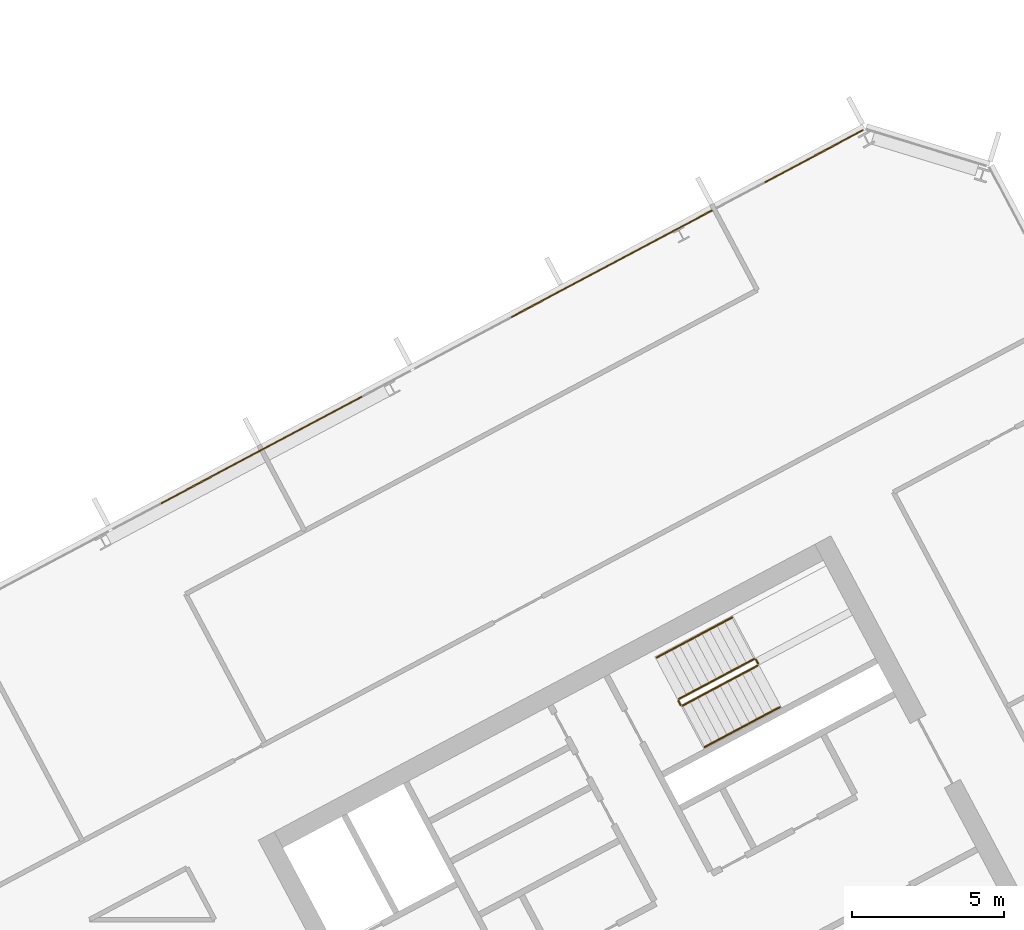
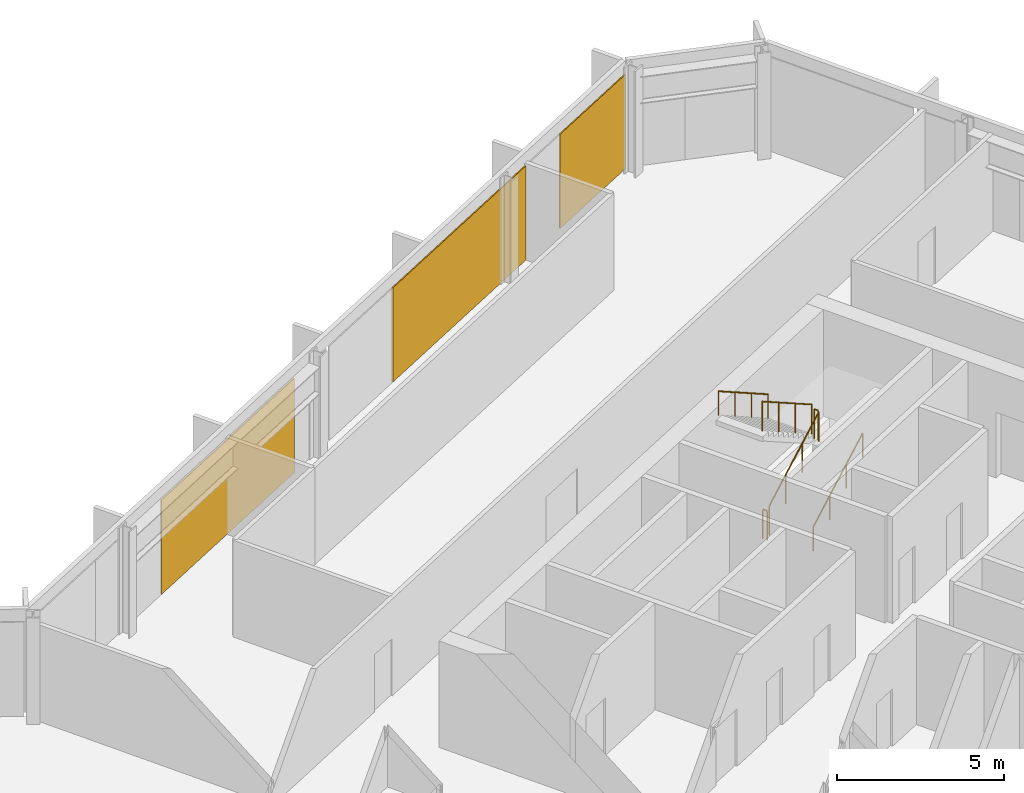
# One storey, part 25 of 26: 6 railings, 3 coverings, 1 element without a shape of its own.
"""IFC4 building model written with IfcOpenShell, lengths in metres."""

from ifc_helpers import new_model, si_unit, direction, frame, origin, origin_2d, place, context, subcontext, project, spatial, polyline, rectangle, outline, extrude, material, layer, layer_set, type_object, element, aggregate, save


model = new_model("IFC4")

# Units and contexts
model_context = context("Model", 3, precision=1e-05, world=origin(), true_north=direction((0.0, 1.0)))
body_context = subcontext(model_context, "Body", "Model", "MODEL_VIEW")
ifc_project = project(units=[si_unit("LENGTHUNIT", "METRE"), si_unit("AREAUNIT", "SQUARE_METRE"), si_unit("VOLUMEUNIT", "CUBIC_METRE"), si_unit("PLANEANGLEUNIT", "RADIAN"), si_unit("MASSUNIT", "GRAM", prefix="KILO")], contexts=[model_context])

# Site, building, storey
site_placement = place(None, origin())
site = spatial("IfcSite", under=ifc_project, at=site_placement, CompositionType="ELEMENT")
building_placement = place(site_placement, origin())
building = spatial("IfcBuilding", under=site, at=building_placement, Name="Cormorant Relay Tower", CompositionType="ELEMENT")
storey_placement = place(building_placement, frame((0.0, 0.0, 244.199951171875)))
storey = spatial("IfcBuildingStorey", under=building, at=storey_placement, Name="L54", CompositionType="ELEMENT", Elevation=244.199951171875)

# Curtain wall, coverings
ifc_material_1 = material(Name="Aluminium 6063-T6 anodised bronze", Category="aluminium")
ifc_layer_1 = layer(ifc_material_1, 0.199951171875)
ifc_layer_set_1 = layer_set([ifc_layer_1], Name="CW1 unitised bronze curtain wall with vertical fins")
curtain_wall_type = type_object("IfcCurtainWallType", Name="CW1 unitised bronze curtain wall with vertical fins", PredefinedType="NOTDEFINED", material=ifc_layer_set_1)
curtain_wall_placement = place(storey_placement, origin())
curtain_wall = element("IfcCurtainWall", 1, at=curtain_wall_placement, inside=storey, type_object=curtain_wall_type, Name="CW1 curtain wall 8", PredefinedType="NOTDEFINED")
ifc_material_2 = material(Name="Pale bronze anodised aluminium insulated panel", Category="aluminium")
ifc_layer_2 = layer(ifc_material_2, 0.0400390625)
ifc_layer_set_2 = layer_set([ifc_layer_2], Name="CW1 pale bronze insulated panel 40")
covering_type = type_object("IfcCoveringType", Name="CW1 pale bronze insulated panel 40", PredefinedType="CLADDING", material=ifc_layer_set_2)
covering_1_placement = place(storey_placement, frame((28.16943359375, 38.78466796875, 0.0), z_axis=(0.0, 0.0, 1.0), x_axis=(-0.882947592859, -0.469471562786, 0.0)))
covering_1 = element("IfcCovering", 2, at=covering_1_placement, type_object=covering_type, Name="CW1 panel S00", PredefinedType="CLADDING", context=body_context, shape_type="SweptSolid", body=[
    extrude(rectangle(XDim=3.68896484375, YDim=0.0400390625, at=origin_2d()), origin(), (0.0, 0.0, 1.0), 3.449951171875),
])
covering_2_placement = place(storey_placement, frame((21.49560546875, 35.236083984375, 0.0), z_axis=(0.0, 0.0, 1.0), x_axis=(-0.882947592859, -0.469471562786, 0.0)))
covering_2 = element("IfcCovering", 3, at=covering_2_placement, type_object=covering_type, Name="CW1 panel S02", PredefinedType="CLADDING", context=body_context, shape_type="SweptSolid", body=[
    extrude(rectangle(XDim=7.528076171875, YDim=0.0400390625, at=origin_2d()), origin(), (0.0, 0.0, 1.0), 3.449951171875),
])
covering_3_placement = place(storey_placement, frame((9.948486328125, 29.09619140625, 0.0), z_axis=(0.0, 0.0, 1.0), x_axis=(-0.882947592859, -0.469471562786, 0.0)))
covering_3 = element("IfcCovering", 4, at=covering_3_placement, type_object=covering_type, Name="CW1 panel S05", PredefinedType="CLADDING", context=body_context, shape_type="SweptSolid", body=[
    extrude(rectangle(XDim=7.528076171875, YDim=0.0400390625, at=origin_2d()), origin(), (0.0, 0.0, 1.0), 3.449951171875),
])
aggregate(curtain_wall, [covering_1, covering_2, covering_3])

# Railings
ifc_material_3 = material(Name="Steel ASTM A572 Grade 50 (Fy 345 MPa)", Category="steel")
railing_type_1 = type_object("IfcRailingType", Name="Stair guard 1100", PredefinedType="GUARDRAIL", material=ifc_material_3)
railing_1_placement = place(storey_placement, frame((23.8408203125, 20.6611328125, 0.17724609375)))
element("IfcRailing", 5, at=railing_1_placement, inside=storey, type_object=railing_type_1, Name="L54 B2 stair guard 1", PredefinedType="GUARDRAIL", context=body_context, shape_type="SweptSolid", body=[
    extrude(outline(polyline([(0.022216796875, 0.00927734375), (0.00927734375, 0.022216796875), (-0.00927734375, 0.022216796875), (-0.022216796875, 0.00927734375), (-0.022216796875, -0.00927734375), (-0.00927734375, -0.022216796875), (0.00927734375, -0.022216796875), (0.022216796875, -0.00927734375), (0.022216796875, 0.00927734375)])), frame((0.0, 0.0, 1.076171875), z_axis=(0.746033882577, 0.396627473466, 0.534901947407), x_axis=(-0.469429322983, 0.882970050864, 0.0)), (0.0, 0.0, 1.0), 3.31396484375),
    extrude(outline(polyline([(0.019287109375, 0.008056640625), (0.008056640625, 0.019287109375), (-0.008056640625, 0.019287109375), (-0.019287109375, 0.008056640625), (-0.019287109375, -0.008056640625), (-0.008056640625, -0.019287109375), (0.008056640625, -0.019287109375), (0.019287109375, -0.008056640625), (0.019287109375, 0.008056640625)])), origin(), (0.0, 0.0, 1.0), 1.052001953125),
    extrude(outline(polyline([(0.019287109375, 0.008056640625), (0.008056640625, 0.019287109375), (-0.008056640625, 0.019287109375), (-0.019287109375, 0.008056640625), (-0.019287109375, -0.008056640625), (-0.008056640625, -0.019287109375), (0.008056640625, -0.019287109375), (0.019287109375, -0.008056640625), (0.019287109375, 0.008056640625)])), frame((0.82421875, 0.438232421875, 0.5908203125)), (0.0, 0.0, 1.0), 1.052001953125),
    extrude(outline(polyline([(0.019287109375, 0.008056640625), (0.008056640625, 0.019287109375), (-0.008056640625, 0.019287109375), (-0.019287109375, 0.008056640625), (-0.019287109375, -0.008056640625), (-0.008056640625, -0.019287109375), (0.008056640625, -0.019287109375), (0.019287109375, -0.008056640625), (0.019287109375, 0.008056640625)])), frame((1.648193359375, 0.876220703125, 1.181884765625)), (0.0, 0.0, 1.0), 1.052001953125),
    extrude(outline(polyline([(0.019287109375, 0.008056640625), (0.008056640625, 0.019287109375), (-0.008056640625, 0.019287109375), (-0.019287109375, 0.008056640625), (-0.019287109375, -0.008056640625), (-0.008056640625, -0.019287109375), (0.008056640625, -0.019287109375), (0.019287109375, -0.008056640625), (0.019287109375, 0.008056640625)])), frame((2.472412109375, 1.314453125, 1.772705078125)), (0.0, 0.0, 1.0), 1.052001953125),
])
railing_2_placement = place(storey_placement, frame((26.333740234375, 22.043212890625, 1.949951171875)))
element("IfcRailing", 6, at=railing_2_placement, inside=storey, type_object=railing_type_1, Name="L54 B2 stair guard 2", PredefinedType="GUARDRAIL", context=body_context, shape_type="SweptSolid", body=[
    extrude(outline(polyline([(0.022216796875, 0.00927734375), (0.00927734375, 0.022216796875), (-0.00927734375, 0.022216796875), (-0.022216796875, 0.00927734375), (-0.022216796875, -0.00927734375), (-0.00927734375, -0.022216796875), (0.00927734375, -0.022216796875), (0.022216796875, -0.00927734375), (0.022216796875, 0.00927734375)])), frame((0.0, 0.0, 1.076171875), z_axis=(-0.469234640946, 0.883073525669, 0.0), x_axis=(-0.883073525669, -0.469234640946, 0.0)), (0.0, 0.0, 1.0), 0.14990234375),
    extrude(outline(polyline([(0.019287109375, 0.008056640625), (0.008056640625, 0.019287109375), (-0.008056640625, 0.019287109375), (-0.019287109375, 0.008056640625), (-0.019287109375, -0.008056640625), (-0.008056640625, -0.019287109375), (0.008056640625, -0.019287109375), (0.019287109375, -0.008056640625), (0.019287109375, 0.008056640625)])), origin(), (0.0, 0.0, 1.0), 1.052001953125),
    extrude(outline(polyline([(0.019287109375, 0.008056640625), (0.008056640625, 0.019287109375), (-0.008056640625, 0.019287109375), (-0.019287109375, 0.008056640625), (-0.019287109375, -0.008056640625), (-0.008056640625, -0.019287109375), (0.008056640625, -0.019287109375), (0.019287109375, -0.008056640625), (0.019287109375, 0.008056640625)])), frame((-0.0703125, 0.13232421875, 0.0)), (0.0, 0.0, 1.0), 1.052001953125),
])
railing_3_placement = place(storey_placement, frame((26.19580078125, 22.1962890625, 2.12744140625)))
element("IfcRailing", 7, at=railing_3_placement, inside=storey, type_object=railing_type_1, Name="L54 B2 stair guard 3", PredefinedType="GUARDRAIL", context=body_context, shape_type="SweptSolid", body=[
    extrude(outline(polyline([(0.022216796875, 0.00927734375), (0.00927734375, 0.022216796875), (-0.00927734375, 0.022216796875), (-0.022216796875, 0.00927734375), (-0.022216796875, -0.00927734375), (-0.00927734375, -0.022216796875), (0.00927734375, -0.022216796875), (0.022216796875, -0.00927734375), (0.022216796875, 0.00927734375)])), frame((0.0, 0.0, 1.076171875), z_axis=(-0.746033882577, -0.396627473466, 0.534901947407), x_axis=(0.469429322983, -0.882970050864, 0.0)), (0.0, 0.0, 1.0), 3.31396484375),
    extrude(outline(polyline([(0.019287109375, 0.008056640625), (0.008056640625, 0.019287109375), (-0.008056640625, 0.019287109375), (-0.019287109375, 0.008056640625), (-0.019287109375, -0.008056640625), (-0.008056640625, -0.019287109375), (0.008056640625, -0.019287109375), (0.019287109375, -0.008056640625), (0.019287109375, 0.008056640625)])), origin(), (0.0, 0.0, 1.0), 1.052001953125),
    extrude(outline(polyline([(0.019287109375, 0.008056640625), (0.008056640625, 0.019287109375), (-0.008056640625, 0.019287109375), (-0.019287109375, 0.008056640625), (-0.019287109375, -0.008056640625), (-0.008056640625, -0.019287109375), (0.008056640625, -0.019287109375), (0.019287109375, -0.008056640625), (0.019287109375, 0.008056640625)])), frame((-0.82421875, -0.438232421875, 0.5908203125)), (0.0, 0.0, 1.0), 1.052001953125),
    extrude(outline(polyline([(0.019287109375, 0.008056640625), (0.008056640625, 0.019287109375), (-0.008056640625, 0.019287109375), (-0.019287109375, 0.008056640625), (-0.019287109375, -0.008056640625), (-0.008056640625, -0.019287109375), (0.008056640625, -0.019287109375), (0.019287109375, -0.008056640625), (0.019287109375, 0.008056640625)])), frame((-1.648193359375, -0.876220703125, 1.181884765625)), (0.0, 0.0, 1.0), 1.052001953125),
    extrude(outline(polyline([(0.019287109375, 0.008056640625), (0.008056640625, 0.019287109375), (-0.008056640625, 0.019287109375), (-0.019287109375, 0.008056640625), (-0.019287109375, -0.008056640625), (-0.008056640625, -0.019287109375), (0.008056640625, -0.019287109375), (0.019287109375, -0.008056640625), (0.019287109375, 0.008056640625)])), frame((-2.472412109375, -1.314453125, 1.772705078125)), (0.0, 0.0, 1.0), 1.052001953125),
])
railing_4_placement = place(storey_placement, frame((23.773193359375, 20.681640625, 0.0)))
element("IfcRailing", 8, at=railing_4_placement, inside=storey, type_object=railing_type_1, Name="L54 B2 stair guard 4", PredefinedType="GUARDRAIL", context=body_context, shape_type="SweptSolid", body=[
    extrude(outline(polyline([(0.022216796875, 0.00927734375), (0.00927734375, 0.022216796875), (-0.00927734375, 0.022216796875), (-0.022216796875, 0.00927734375), (-0.022216796875, -0.00927734375), (-0.00927734375, -0.022216796875), (0.00927734375, -0.022216796875), (0.022216796875, -0.00927734375), (0.022216796875, 0.00927734375)])), frame((0.0, 0.0, 1.076171875), z_axis=(-0.46856034887, 0.8834314911, 0.0), x_axis=(-0.8834314911, -0.46856034887, 0.0)), (0.0, 0.0, 1.0), 0.150146484375),
    extrude(outline(polyline([(0.019287109375, 0.008056640625), (0.008056640625, 0.019287109375), (-0.008056640625, 0.019287109375), (-0.019287109375, 0.008056640625), (-0.019287109375, -0.008056640625), (-0.008056640625, -0.019287109375), (0.008056640625, -0.019287109375), (0.019287109375, -0.008056640625), (0.019287109375, 0.008056640625)])), origin(), (0.0, 0.0, 1.0), 1.052001953125),
    extrude(outline(polyline([(0.019287109375, 0.008056640625), (0.008056640625, 0.019287109375), (-0.008056640625, 0.019287109375), (-0.019287109375, 0.008056640625), (-0.019287109375, -0.008056640625), (-0.008056640625, -0.019287109375), (0.008056640625, -0.019287109375), (0.019287109375, -0.008056640625), (0.019287109375, 0.008056640625)])), frame((-0.0703125, 0.132568359375, 0.0)), (0.0, 0.0, 1.0), 1.052001953125),
])
ifc_material_4 = material(Name="Steel ASTM A572 Grade 50 (Fy 345 MPa)", Category="steel")
railing_type_2 = type_object("IfcRailingType", Name="Stair handrail 900", PredefinedType="HANDRAIL", material=ifc_material_4)
railing_5_placement = place(storey_placement, frame((24.568603515625, 19.29248046875, 0.17724609375)))
element("IfcRailing", 9, at=railing_5_placement, inside=storey, type_object=railing_type_2, Name="L54 B2 stair handrail 1", PredefinedType="HANDRAIL", context=body_context, shape_type="SweptSolid", body=[
    extrude(outline(polyline([(0.022216796875, 0.00927734375), (0.00927734375, 0.022216796875), (-0.00927734375, 0.022216796875), (-0.022216796875, 0.00927734375), (-0.022216796875, -0.00927734375), (-0.00927734375, -0.022216796875), (0.00927734375, -0.022216796875), (0.022216796875, -0.00927734375), (0.022216796875, 0.00927734375)])), frame((0.0, 0.0, 0.8759765625), z_axis=(0.746001213114, 0.396649272309, 0.534931345884), x_axis=(-0.469465464807, 0.882950835185, 0.0)), (0.0, 0.0, 1.0), 3.31396484375),
    extrude(outline(polyline([(0.019287109375, 0.008056640625), (0.008056640625, 0.019287109375), (-0.008056640625, 0.019287109375), (-0.019287109375, 0.008056640625), (-0.019287109375, -0.008056640625), (-0.008056640625, -0.019287109375), (0.008056640625, -0.019287109375), (0.019287109375, -0.008056640625), (0.019287109375, 0.008056640625)])), origin(), (0.0, 0.0, 1.0), 0.851806640625),
    extrude(outline(polyline([(0.019287109375, 0.008056640625), (0.008056640625, 0.019287109375), (-0.008056640625, 0.019287109375), (-0.019287109375, 0.008056640625), (-0.019287109375, -0.008056640625), (-0.008056640625, -0.019287109375), (0.008056640625, -0.019287109375), (0.019287109375, -0.008056640625), (0.019287109375, 0.008056640625)])), frame((0.823974609375, 0.438232421875, 0.5908203125)), (0.0, 0.0, 1.0), 0.851806640625),
    extrude(outline(polyline([(0.019287109375, 0.008056640625), (0.008056640625, 0.019287109375), (-0.008056640625, 0.019287109375), (-0.019287109375, 0.008056640625), (-0.019287109375, -0.008056640625), (-0.008056640625, -0.019287109375), (0.008056640625, -0.019287109375), (0.019287109375, -0.008056640625), (0.019287109375, 0.008056640625)])), frame((1.648193359375, 0.876220703125, 1.181884765625)), (0.0, 0.0, 1.0), 0.851806640625),
    extrude(outline(polyline([(0.019287109375, 0.008056640625), (0.008056640625, 0.019287109375), (-0.008056640625, 0.019287109375), (-0.019287109375, 0.008056640625), (-0.019287109375, -0.008056640625), (-0.008056640625, -0.019287109375), (0.008056640625, -0.019287109375), (0.019287109375, -0.008056640625), (0.019287109375, 0.008056640625)])), frame((2.47216796875, 1.314453125, 1.772705078125)), (0.0, 0.0, 1.0), 0.851806640625),
])
railing_6_placement = place(storey_placement, frame((25.468017578125, 23.56494140625, 2.12744140625)))
element("IfcRailing", 10, at=railing_6_placement, inside=storey, type_object=railing_type_2, Name="L54 B2 stair handrail 2", PredefinedType="HANDRAIL", context=body_context, shape_type="SweptSolid", body=[
    extrude(outline(polyline([(0.022216796875, 0.00927734375), (0.00927734375, 0.022216796875), (-0.00927734375, 0.022216796875), (-0.022216796875, 0.00927734375), (-0.022216796875, -0.00927734375), (-0.00927734375, -0.022216796875), (0.00927734375, -0.022216796875), (0.022216796875, -0.00927734375), (0.022216796875, 0.00927734375)])), frame((0.0, 0.0, 0.8759765625), z_axis=(-0.745979412481, -0.396711350603, 0.534915713414), x_axis=(0.469533439143, -0.882914689835, 0.0)), (0.0, 0.0, 1.0), 3.31396484375),
    extrude(outline(polyline([(0.019287109375, 0.008056640625), (0.008056640625, 0.019287109375), (-0.008056640625, 0.019287109375), (-0.019287109375, 0.008056640625), (-0.019287109375, -0.008056640625), (-0.008056640625, -0.019287109375), (0.008056640625, -0.019287109375), (0.019287109375, -0.008056640625), (0.019287109375, 0.008056640625)])), origin(), (0.0, 0.0, 1.0), 0.851806640625),
    extrude(outline(polyline([(0.019287109375, 0.008056640625), (0.008056640625, 0.019287109375), (-0.008056640625, 0.019287109375), (-0.019287109375, 0.008056640625), (-0.019287109375, -0.008056640625), (-0.008056640625, -0.019287109375), (0.008056640625, -0.019287109375), (0.019287109375, -0.008056640625), (0.019287109375, 0.008056640625)])), frame((-0.823974609375, -0.438232421875, 0.5908203125)), (0.0, 0.0, 1.0), 0.851806640625),
    extrude(outline(polyline([(0.019287109375, 0.008056640625), (0.008056640625, 0.019287109375), (-0.008056640625, 0.019287109375), (-0.019287109375, 0.008056640625), (-0.019287109375, -0.008056640625), (-0.008056640625, -0.019287109375), (0.008056640625, -0.019287109375), (0.019287109375, -0.008056640625), (0.019287109375, 0.008056640625)])), frame((-1.648193359375, -0.87646484375, 1.181884765625)), (0.0, 0.0, 1.0), 0.851806640625),
    extrude(outline(polyline([(0.019287109375, 0.008056640625), (0.008056640625, 0.019287109375), (-0.008056640625, 0.019287109375), (-0.019287109375, 0.008056640625), (-0.019287109375, -0.008056640625), (-0.008056640625, -0.019287109375), (0.008056640625, -0.019287109375), (0.019287109375, -0.008056640625), (0.019287109375, 0.008056640625)])), frame((-2.47216796875, -1.314697265625, 1.772705078125)), (0.0, 0.0, 1.0), 0.851806640625),
])

save(model, "model.ifc")
